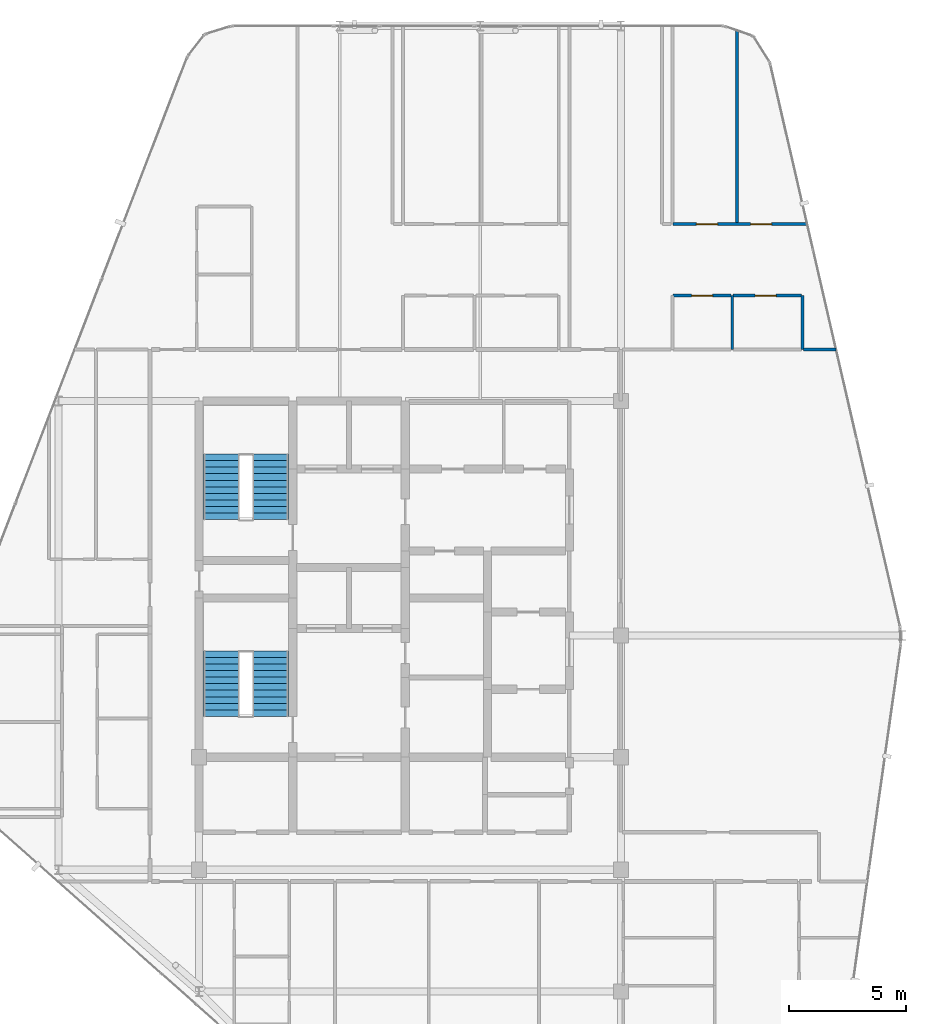
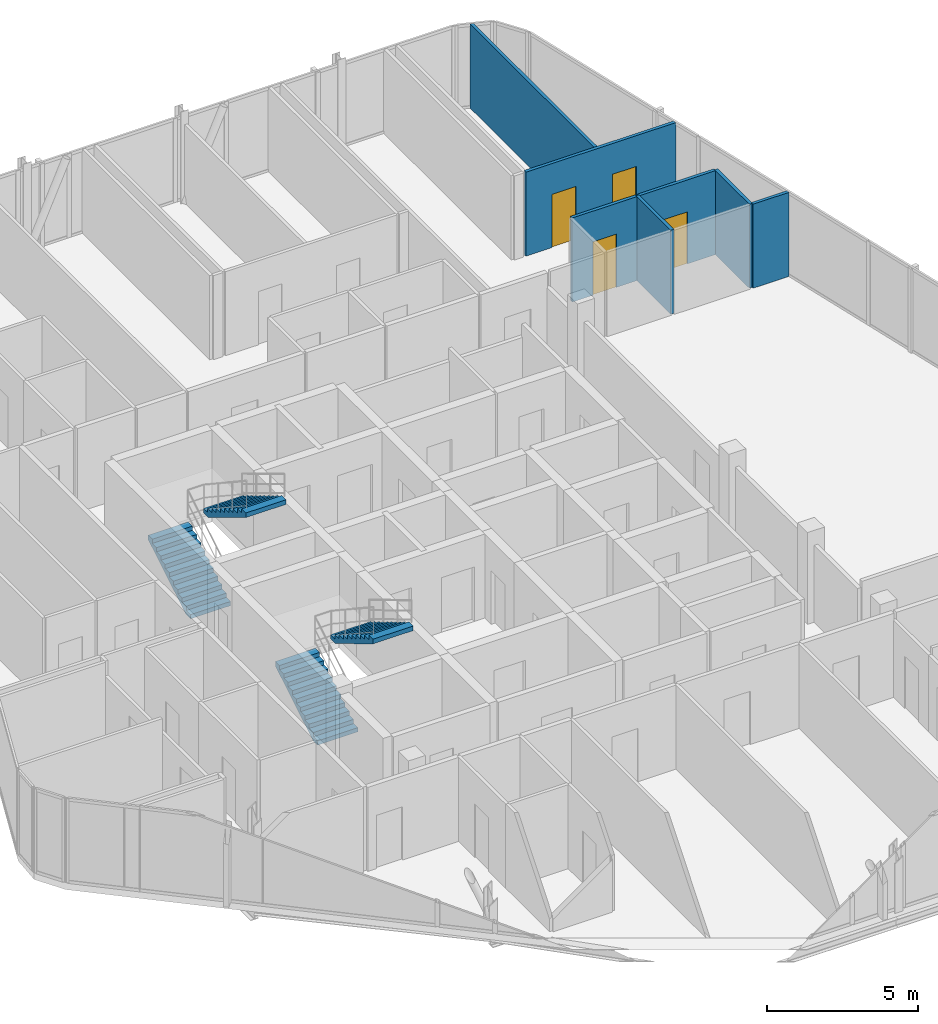
# One storey, part 26 of 27: 7 walls, 4 doors, 4 stair flights, 4 openings, 2 elements without a shape of their own.
"""IFC4 building model written with IfcOpenShell, lengths in metres."""

from ifc_helpers import new_model, si_unit, direction, frame, frame_2d, origin, place, context, subcontext, project, spatial, polyline, rectangle, outline, extrude, material, layer, layer_set, type_object, element, fill, aggregate, save


model = new_model("IFC4")

# Units and contexts
model_context = context("Model", 3, precision=1e-05, world=origin(), true_north=direction((0.0, 1.0)))
body_context = subcontext(model_context, "Body", "Model", "MODEL_VIEW")
ifc_project = project(units=[si_unit("LENGTHUNIT", "METRE"), si_unit("AREAUNIT", "SQUARE_METRE"), si_unit("VOLUMEUNIT", "CUBIC_METRE"), si_unit("PLANEANGLEUNIT", "RADIAN"), si_unit("MASSUNIT", "GRAM", prefix="KILO")], contexts=[model_context])

# Site, building, storey
site_placement = place(None, origin())
site = spatial("IfcSite", under=ifc_project, at=site_placement, CompositionType="ELEMENT")
building_placement = place(site_placement, origin())
building = spatial("IfcBuilding", under=site, at=building_placement, Name="Keshet Zoharim Tower", CompositionType="ELEMENT")
storey_placement = place(building_placement, frame((0.0, 0.0, 288.0)))
storey = spatial("IfcBuildingStorey", under=building, at=storey_placement, Name="L72", CompositionType="ELEMENT", Elevation=288.0)

# Walls
ifc_material_1 = material(Name="Gypsum Plasterboard", Category="gypsum")
ifc_layer_1 = layer(ifc_material_1, 0.1201171875)
ifc_layer_set_1 = layer_set([ifc_layer_1], Name="Gypsum Plasterboard")
wall_type_1 = type_object("IfcWallType", Name="WL-PART-120", PredefinedType="PARTITIONING", material=ifc_layer_set_1)
wall_1_placement = place(storey_placement, frame((37.949951171875, 45.449951171875, 0.0), z_axis=(0.0, 0.0, 1.0), x_axis=(0.0, 1.0, 0.0)))
element("IfcWall", 1, at=wall_1_placement, inside=storey, type_object=wall_type_1, Name="L72 Interior Wall 077", PredefinedType="PARTITIONING", context=body_context, shape_type="SweptSolid", body=[
    extrude(rectangle(XDim=8.2509765625, YDim=0.1201171875, at=frame_2d((4.12548828125, 0.0))), origin(), (0.0, 0.0, 1.0), 3.389892578125),
])
wall_2_placement = place(storey_placement, frame((40.7958984375, 40.10009765625, 0.0), z_axis=(0.0, 0.0, 1.0), x_axis=(1.0, 0.0, 0.0)))
element("IfcWall", 2, at=wall_2_placement, inside=storey, type_object=wall_type_1, Name="L72 Interior Wall 150", PredefinedType="PARTITIONING", context=body_context, shape_type="SweptSolid", body=[
    extrude(rectangle(XDim=1.379150390625, YDim=0.1201171875, at=frame_2d((0.689453125, 0.0))), origin(), (0.0, 0.0, 1.0), 3.389892578125),
])

# Wall, opening, door
wall_3_placement = place(storey_placement, frame((35.22509765625, 42.39990234375, 0.0), z_axis=(0.0, 0.0, 1.0), x_axis=(1.0, 0.0, 0.0)))
wall_3 = element("IfcWall", 3, at=wall_3_placement, inside=storey, type_object=wall_type_1, Name="L72 Interior Wall 153", PredefinedType="PARTITIONING", context=body_context, shape_type="SweptSolid", body=[
    extrude(rectangle(XDim=2.472900390625, YDim=0.1201171875, at=frame_2d((1.236328125, 0.0))), origin(), (0.0, 0.0, 1.0), 3.389892578125),
])
opening_1_placement = place(wall_3_placement, frame((0.787109375, 0.0, 0.0)))
opening_1 = element("IfcOpeningElement", 4, at=opening_1_placement, cuts=wall_3, Name="Opening D-IN90", PredefinedType="OPENING", context=body_context, shape_type="SweptSolid", body=[
    extrude(rectangle(XDim=0.89990234375, YDim=2.14990234375, at=frame_2d((0.449951171875, 1.074951171875))), frame((0.0, 0.070068359375, 0.0), z_axis=(0.0, -1.0, 0.0), x_axis=(1.0, 0.0, 0.0)), (0.0, 0.0, 1.0), 0.14013671875),
])
ifc_material_2 = material(Name="Hardwood Timber", Category="wood")
door_type_1 = type_object("IfcDoorType", Name="DR-INT-090", OperationType="NOTDEFINED", PredefinedType="DOOR", material=ifc_material_2)
door_1_placement = place(opening_1_placement, origin())
door_1 = element("IfcDoor", 5, at=door_1_placement, inside=storey, type_object=door_type_1, Name="Apartment 7206 Kitchen Door", OperationType="SINGLE_SWING_LEFT", OverallHeight=2.14990234375, OverallWidth=0.89990234375, PredefinedType="DOOR", context=body_context, shape_type="SweptSolid", body=[
    extrude(rectangle(XDim=0.89990234375, YDim=2.14990234375, at=frame_2d((0.449951171875, 1.074951171875))), frame((0.0, 0.02490234375, 0.0), z_axis=(0.0, -1.0, 0.0), x_axis=(1.0, 0.0, 0.0)), (0.0, 0.0, 1.0), 0.050048828125),
])
fill(opening_1, door_1)

# Wall, openings, doors
wall_4_placement = place(storey_placement, frame((35.22509765625, 45.449951171875, 0.0), z_axis=(0.0, 0.0, 1.0), x_axis=(1.0, 0.0, 0.0)))
wall_4 = element("IfcWall", 6, at=wall_4_placement, inside=storey, type_object=wall_type_1, Name="L72 Interior Wall 160", PredefinedType="PARTITIONING", context=body_context, shape_type="SweptSolid", body=[
    extrude(rectangle(XDim=5.71484375, YDim=0.1201171875, at=frame_2d((2.857421875, 0.0))), origin(), (0.0, 0.0, 1.0), 3.389892578125),
])
opening_2_placement = place(wall_4_placement, frame((0.9990234375, 0.0, 0.0)))
opening_2 = element("IfcOpeningElement", 7, at=opening_2_placement, cuts=wall_4, Name="Opening D-IN90", PredefinedType="OPENING", context=body_context, shape_type="SweptSolid", body=[
    extrude(rectangle(XDim=0.89990234375, YDim=2.14990234375, at=frame_2d((0.449951171875, 1.074951171875))), frame((0.0, 0.070068359375, 0.0), z_axis=(0.0, -1.0, 0.0), x_axis=(1.0, 0.0, 0.0)), (0.0, 0.0, 1.0), 0.14013671875),
])
opening_3_placement = place(wall_4_placement, frame((3.304931640625, 0.0, 0.0)))
opening_3 = element("IfcOpeningElement", 8, at=opening_3_placement, cuts=wall_4, Name="Opening D-IN90", PredefinedType="OPENING", context=body_context, shape_type="SweptSolid", body=[
    extrude(rectangle(XDim=0.89990234375, YDim=2.14990234375, at=frame_2d((0.449951171875, 1.074951171875))), frame((0.0, 0.070068359375, 0.0), z_axis=(0.0, -1.0, 0.0), x_axis=(1.0, 0.0, 0.0)), (0.0, 0.0, 1.0), 0.14013671875),
])
door_2_placement = place(opening_2_placement, origin())
door_2 = element("IfcDoor", 9, at=door_2_placement, inside=storey, type_object=door_type_1, Name="Apartment 7206 Bedroom 1 Door", OperationType="SINGLE_SWING_LEFT", OverallHeight=2.14990234375, OverallWidth=0.89990234375, PredefinedType="DOOR", context=body_context, shape_type="SweptSolid", body=[
    extrude(rectangle(XDim=0.89990234375, YDim=2.14990234375, at=frame_2d((0.449951171875, 1.074951171875))), frame((0.0, 0.02490234375, 0.0), z_axis=(0.0, -1.0, 0.0), x_axis=(1.0, 0.0, 0.0)), (0.0, 0.0, 1.0), 0.050048828125),
])
fill(opening_2, door_2)
door_3_placement = place(opening_3_placement, origin())
door_3 = element("IfcDoor", 10, at=door_3_placement, inside=storey, type_object=door_type_1, Name="Apartment 7206 Bedroom 2 Door", OperationType="SINGLE_SWING_RIGHT", OverallHeight=2.14990234375, OverallWidth=0.89990234375, PredefinedType="DOOR", context=body_context, shape_type="SweptSolid", body=[
    extrude(rectangle(XDim=0.89990234375, YDim=2.14990234375, at=frame_2d((0.449951171875, 1.074951171875))), frame((0.0, 0.02490234375, 0.0), z_axis=(0.0, -1.0, 0.0), x_axis=(1.0, 0.0, 0.0)), (0.0, 0.0, 1.0), 0.050048828125),
])
fill(opening_3, door_3)

# Walls
ifc_layer_2 = layer(ifc_material_1, 0.1201171875)
ifc_layer_set_2 = layer_set([ifc_layer_2], Name="Gypsum Plasterboard")
wall_type_2 = type_object("IfcWallType", Name="WL-WET-120", PredefinedType="PARTITIONING", material=ifc_layer_set_2)
for number, where, z_axis, x_axis, name in (
    (11, (37.75, 40.10009765625, 0.0), (0.0, 0.0, 1.0), (0.0, 1.0, 0.0), "L72 Interior Wall 076"),
    (12, (40.75, 40.10009765625, 0.0), (0.0, 0.0, 1.0), (0.0, 1.0, 0.0), "L72 Interior Wall 081"),
):
    element("IfcWall", number, at=place(storey_placement, frame(where, z_axis=z_axis, x_axis=x_axis)), inside=storey, type_object=wall_type_2, Name=name, PredefinedType="PARTITIONING", context=body_context, shape_type="SweptSolid", body=[
        extrude(rectangle(XDim=2.2998046875, YDim=0.1201171875, at=frame_2d((1.14990234375, 0.0))), origin(), (0.0, 0.0, 1.0), 3.389892578125),
    ])

# Wall, opening, door
wall_5_placement = place(storey_placement, frame((37.7880859375, 42.39990234375, 0.0), z_axis=(0.0, 0.0, 1.0), x_axis=(1.0, 0.0, 0.0)))
wall_5 = element("IfcWall", 13, at=wall_5_placement, inside=storey, type_object=wall_type_2, Name="L72 Interior Wall 154", PredefinedType="PARTITIONING", context=body_context, shape_type="SweptSolid", body=[
    extrude(rectangle(XDim=2.91796875, YDim=0.1201171875, at=frame_2d((1.458984375, 0.0))), origin(), (0.0, 0.0, 1.0), 3.389892578125),
])
opening_4_placement = place(wall_5_placement, frame((0.93603515625, 0.0, 0.0)))
opening_4 = element("IfcOpeningElement", 14, at=opening_4_placement, cuts=wall_5, Name="Opening D-WT90", PredefinedType="OPENING", context=body_context, shape_type="SweptSolid", body=[
    extrude(rectangle(XDim=0.89990234375, YDim=2.10009765625, at=frame_2d((0.449951171875, 1.050048828125))), frame((0.0, 0.070068359375, 0.0), z_axis=(0.0, -1.0, 0.0), x_axis=(1.0, 0.0, 0.0)), (0.0, 0.0, 1.0), 0.14013671875),
])
door_type_2 = type_object("IfcDoorType", Name="DR-WET-090", OperationType="NOTDEFINED", PredefinedType="DOOR", material=ifc_material_2)
door_4_placement = place(opening_4_placement, origin())
door_4 = element("IfcDoor", 15, at=door_4_placement, inside=storey, type_object=door_type_2, Name="Apartment 7206 Bathroom Door", OperationType="SINGLE_SWING_RIGHT", OverallHeight=2.10009765625, OverallWidth=0.89990234375, PredefinedType="DOOR", context=body_context, shape_type="SweptSolid", body=[
    extrude(rectangle(XDim=0.89990234375, YDim=2.10009765625, at=frame_2d((0.449951171875, 1.050048828125))), frame((0.0, 0.02490234375, 0.0), z_axis=(0.0, -1.0, 0.0), x_axis=(1.0, 0.0, 0.0)), (0.0, 0.0, 1.0), 0.050048828125),
])
fill(opening_4, door_4)

# Stair, stair flights
ifc_material_3 = material(Name="Concrete C50/60", Category="concrete")
stair_type = type_object("IfcStairType", Name="STR-EXIT-135", PredefinedType="HALF_TURN_STAIR", material=ifc_material_3)
stair_1_placement = place(storey_placement, origin())
stair_1 = element("IfcStair", 16, at=stair_1_placement, inside=storey, type_object=stair_type, Name="L72 Enclosed Exit Stair ST-01", PredefinedType="HALF_TURN_STAIR")
stair_flight_type = type_object("IfcStairFlightType", Name="FLT-PRE-135", PredefinedType="STRAIGHT", material=ifc_material_3)
stair_flight_1_placement = place(storey_placement, frame((15.945068359375, 24.43994140625, 0.0), z_axis=(0.0, 0.0, 1.0), x_axis=(0.0, 1.0, 0.0)))
stair_flight_1 = element("IfcStairFlight", 17, at=stair_flight_1_placement, type_object=stair_flight_type, Name="ST-01 flight 1", NumberOfRisers=11, NumberOfTreads=10, PredefinedType="STRAIGHT", RiserHeight=0.168182, TreadLength=0.28, context=body_context, shape_type="SweptSolid", body=[
    extrude(outline(polyline([(0.0, 0.0), (0.0, 0.168212890625), (0.280029296875, 0.168212890625), (0.280029296875, 0.33642578125), (0.56005859375, 0.33642578125), (0.56005859375, 0.504638671875), (0.840087890625, 0.504638671875), (0.840087890625, 0.672607421875), (1.1201171875, 0.672607421875), (1.1201171875, 0.8408203125), (1.39990234375, 0.8408203125), (1.39990234375, 1.009033203125), (1.679931640625, 1.009033203125), (1.679931640625, 1.17724609375), (1.9599609375, 1.17724609375), (1.9599609375, 1.345458984375), (2.239990234375, 1.345458984375), (2.239990234375, 1.513671875), (2.52001953125, 1.513671875), (2.52001953125, 1.681884765625), (2.800048828125, 1.681884765625), (2.800048828125, 1.85009765625), (2.800048828125, 1.495361328125), (0.310546875, 0.0), (0.0, 0.0)])), frame((0.0, 0.76513671875, 0.0), z_axis=(0.0, -1.0, 0.0), x_axis=(1.0, 0.0, 0.0)), (0.0, 0.0, 1.0), 1.530029296875),
])
stair_flight_2_placement = place(storey_placement, frame((18.054931640625, 27.239990234375, 1.85009765625), z_axis=(0.0, 0.0, 1.0), x_axis=(0.0, -1.0, 0.0)))
stair_flight_2 = element("IfcStairFlight", 18, at=stair_flight_2_placement, type_object=stair_flight_type, Name="ST-01 flight 2", NumberOfRisers=11, NumberOfTreads=10, PredefinedType="STRAIGHT", RiserHeight=0.168182, TreadLength=0.28, context=body_context, shape_type="SweptSolid", body=[
    extrude(outline(polyline([(0.0, 0.0), (0.0, 0.168212890625), (0.280029296875, 0.168212890625), (0.280029296875, 0.33642578125), (0.56005859375, 0.33642578125), (0.56005859375, 0.504638671875), (0.840087890625, 0.504638671875), (0.840087890625, 0.672607421875), (1.1201171875, 0.672607421875), (1.1201171875, 0.8408203125), (1.39990234375, 0.8408203125), (1.39990234375, 1.009033203125), (1.679931640625, 1.009033203125), (1.679931640625, 1.17724609375), (1.9599609375, 1.17724609375), (1.9599609375, 1.345458984375), (2.239990234375, 1.345458984375), (2.239990234375, 1.513671875), (2.52001953125, 1.513671875), (2.52001953125, 1.681884765625), (2.800048828125, 1.681884765625), (2.800048828125, 1.85009765625), (2.800048828125, 1.495361328125), (0.310546875, 0.0), (0.0, 0.0)])), frame((0.0, 0.76513671875, 0.0), z_axis=(0.0, -1.0, 0.0), x_axis=(1.0, 0.0, 0.0)), (0.0, 0.0, 1.0), 1.530029296875),
])
aggregate(stair_1, [stair_flight_1, stair_flight_2])

stair_2_placement = place(storey_placement, origin())
stair_2 = element("IfcStair", 19, at=stair_2_placement, inside=storey, type_object=stair_type, Name="L72 Enclosed Exit Stair ST-02", PredefinedType="HALF_TURN_STAIR")
stair_flight_3_placement = place(storey_placement, frame((15.945068359375, 32.840087890625, 0.0), z_axis=(0.0, 0.0, 1.0), x_axis=(0.0, 1.0, 0.0)))
stair_flight_3 = element("IfcStairFlight", 20, at=stair_flight_3_placement, type_object=stair_flight_type, Name="ST-02 flight 1", NumberOfRisers=11, NumberOfTreads=10, PredefinedType="STRAIGHT", RiserHeight=0.168182, TreadLength=0.28, context=body_context, shape_type="SweptSolid", body=[
    extrude(outline(polyline([(0.0, 0.0), (0.0, 0.168212890625), (0.280029296875, 0.168212890625), (0.280029296875, 0.33642578125), (0.56005859375, 0.33642578125), (0.56005859375, 0.504638671875), (0.840087890625, 0.504638671875), (0.840087890625, 0.672607421875), (1.1201171875, 0.672607421875), (1.1201171875, 0.8408203125), (1.39990234375, 0.8408203125), (1.39990234375, 1.009033203125), (1.679931640625, 1.009033203125), (1.679931640625, 1.17724609375), (1.9599609375, 1.17724609375), (1.9599609375, 1.345458984375), (2.239990234375, 1.345458984375), (2.239990234375, 1.513671875), (2.52001953125, 1.513671875), (2.52001953125, 1.681884765625), (2.800048828125, 1.681884765625), (2.800048828125, 1.85009765625), (2.800048828125, 1.495361328125), (0.310546875, 0.0), (0.0, 0.0)])), frame((0.0, 0.76513671875, 0.0), z_axis=(0.0, -1.0, 0.0), x_axis=(1.0, 0.0, 0.0)), (0.0, 0.0, 1.0), 1.530029296875),
])
stair_flight_4_placement = place(storey_placement, frame((18.054931640625, 35.639892578125, 1.85009765625), z_axis=(0.0, 0.0, 1.0), x_axis=(0.0, -1.0, 0.0)))
stair_flight_4 = element("IfcStairFlight", 21, at=stair_flight_4_placement, type_object=stair_flight_type, Name="ST-02 flight 2", NumberOfRisers=11, NumberOfTreads=10, PredefinedType="STRAIGHT", RiserHeight=0.168182, TreadLength=0.28, context=body_context, shape_type="SweptSolid", body=[
    extrude(outline(polyline([(0.0, 0.0), (0.0, 0.168212890625), (0.280029296875, 0.168212890625), (0.280029296875, 0.33642578125), (0.56005859375, 0.33642578125), (0.56005859375, 0.504638671875), (0.840087890625, 0.504638671875), (0.840087890625, 0.672607421875), (1.1201171875, 0.672607421875), (1.1201171875, 0.8408203125), (1.39990234375, 0.8408203125), (1.39990234375, 1.009033203125), (1.679931640625, 1.009033203125), (1.679931640625, 1.17724609375), (1.9599609375, 1.17724609375), (1.9599609375, 1.345458984375), (2.239990234375, 1.345458984375), (2.239990234375, 1.513671875), (2.52001953125, 1.513671875), (2.52001953125, 1.681884765625), (2.800048828125, 1.681884765625), (2.800048828125, 1.85009765625), (2.800048828125, 1.495361328125), (0.310546875, 0.0), (0.0, 0.0)])), frame((0.0, 0.76513671875, 0.0), z_axis=(0.0, -1.0, 0.0), x_axis=(1.0, 0.0, 0.0)), (0.0, 0.0, 1.0), 1.530029296875),
])
aggregate(stair_2, [stair_flight_3, stair_flight_4])

save(model, "model.ifc")
